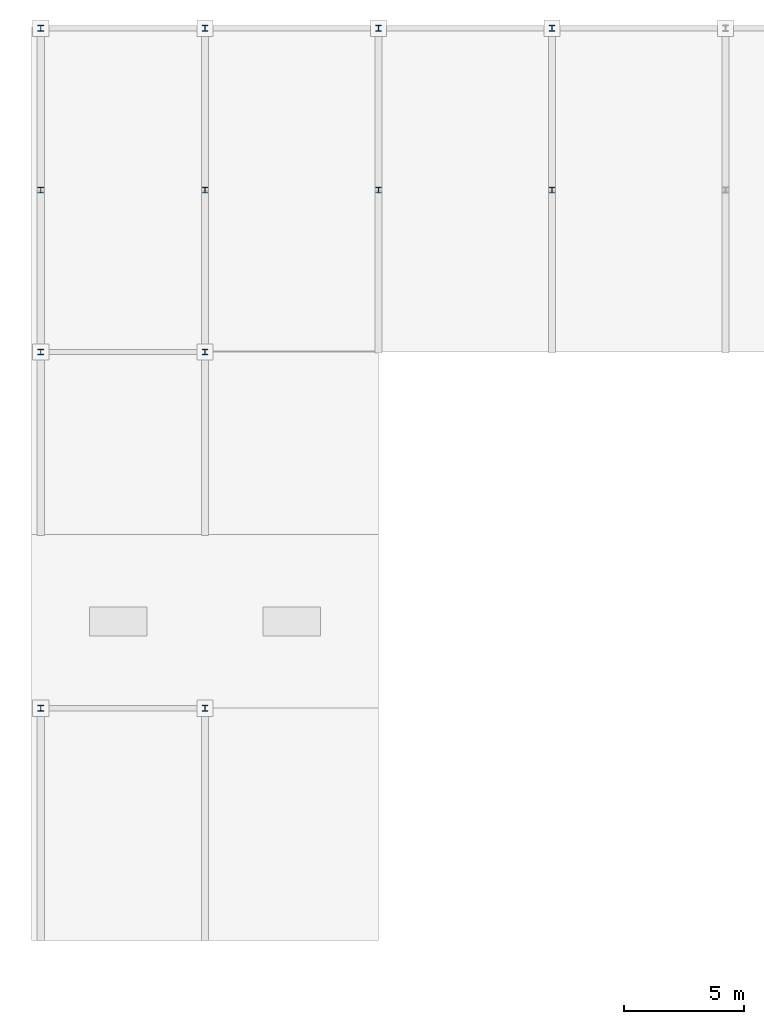
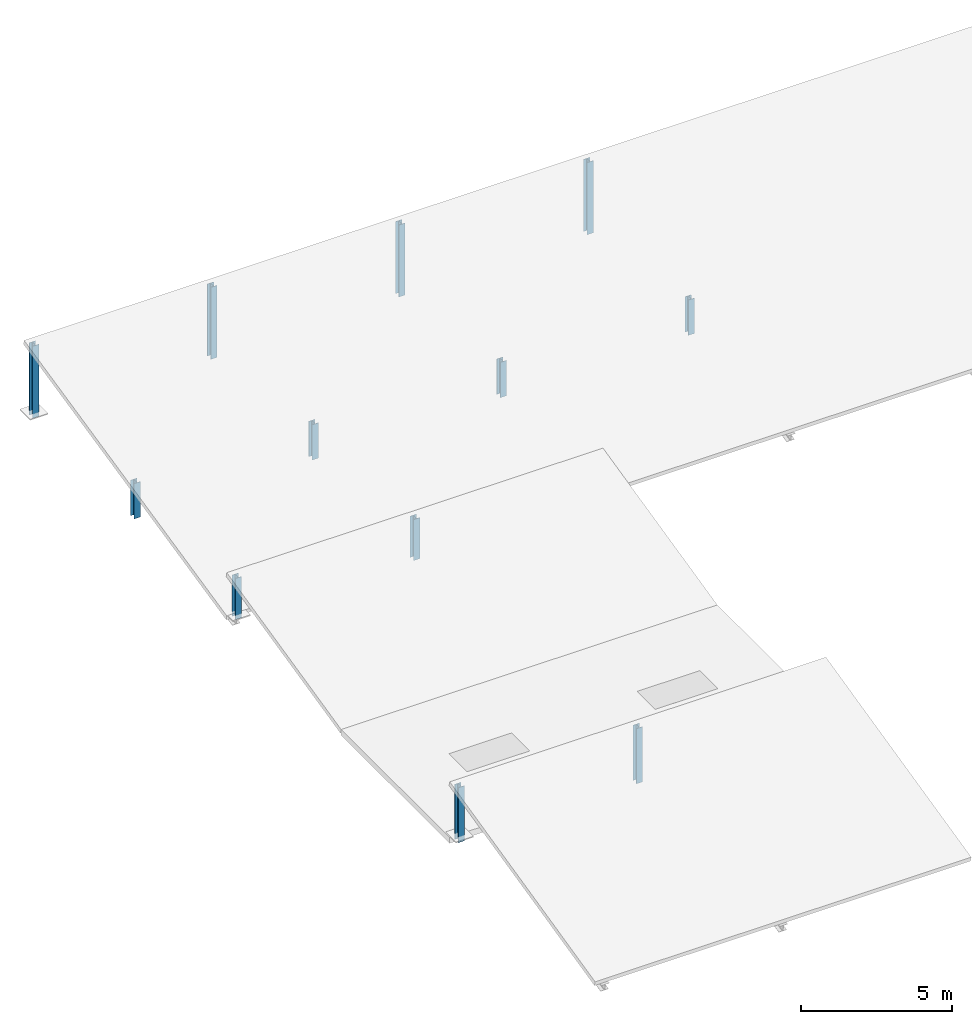
# One storey, part 2 of 15: 12 columns.
"""IFC4 building model written with IfcOpenShell, lengths in metres."""

from ifc_helpers import new_model, si_unit, direction, frame, origin, origin_2d, place, context, subcontext, project, spatial, i_section, extrude, material, material_profile, profile_set, type_object, element, save


model = new_model("IFC4")

# Units and contexts
model_context = context("Model", 3, precision=1e-05, world=origin(), true_north=direction((0.0, 1.0)))
body_context = subcontext(model_context, "Body", "Model", "MODEL_VIEW")
ifc_project = project(units=[si_unit("LENGTHUNIT", "METRE"), si_unit("AREAUNIT", "SQUARE_METRE"), si_unit("VOLUMEUNIT", "CUBIC_METRE"), si_unit("PLANEANGLEUNIT", "RADIAN"), si_unit("MASSUNIT", "GRAM", prefix="KILO")], contexts=[model_context])

# Site, building, storey
site_placement = place(None, origin())
site = spatial("IfcSite", under=ifc_project, at=site_placement, CompositionType="ELEMENT")
building_placement = place(site_placement, origin())
building = spatial("IfcBuilding", under=site, at=building_placement, Name="Vardoun Plaza Health Centre", CompositionType="ELEMENT")
storey_placement = place(building_placement, frame((0.0, 0.0, 17.10009765625)))
storey = spatial("IfcBuildingStorey", under=building, at=storey_placement, Name="L04", CompositionType="ELEMENT", Elevation=17.10009765625)

# Columns
ifc_material = material(Name="Steel S355J2", Category="steel")
ifc_material_profile = material_profile(ifc_material, i_section(OverallWidth=0.239990234375, OverallDepth=0.239990234375, WebThickness=0.010009765625, FlangeThickness=0.01708984375, FilletRadius=0.02099609375, at=origin_2d()), Name="HEB 240")
ifc_profile_set = profile_set([ifc_material_profile], Name="Steel S355J2")
column_type = type_object("IfcColumnType", Name="C-19", PredefinedType="COLUMN", material=ifc_profile_set)
for number, where, z_axis, x_axis, name in (
    (1, (4.8798828125, 86.699951171875, -0.239990234375), (0.0, 0.0, 1.0), (1.0, 0.0, 0.0), "V3 Sawtooth Ridge Post 1.1"),
    (2, (11.699951171875, 86.699951171875, -0.239990234375), (0.0, 0.0, 1.0), (1.0, 0.0, 0.0), "V3 Sawtooth Ridge Post 1.2"),
):
    element("IfcColumn", number, at=place(storey_placement, frame(where, z_axis=z_axis, x_axis=x_axis)), inside=storey, type_object=column_type, Name=name, PredefinedType="COLUMN", context=body_context, shape_type="SweptSolid", body=[
        extrude(i_section(OverallWidth=0.239990234375, OverallDepth=0.239990234375, WebThickness=0.010009765625, FlangeThickness=0.01708984375, FilletRadius=0.02099609375, at=origin_2d()), origin(), (0.0, 0.0, 1.0), 2.22998046875),
    ])
for number, where, z_axis, x_axis, name in (
    (3, (4.8798828125, 101.47998046875, -0.175048828125), (0.0, 0.0, 1.0), (1.0, 0.0, 0.0), "V3 Sawtooth Ridge Post 2.1"),
    (4, (11.699951171875, 101.47998046875, -0.175048828125), (0.0, 0.0, 1.0), (1.0, 0.0, 0.0), "V3 Sawtooth Ridge Post 2.2"),
):
    element("IfcColumn", number, at=place(storey_placement, frame(where, z_axis=z_axis, x_axis=x_axis)), inside=storey, type_object=column_type, Name=name, PredefinedType="COLUMN", context=body_context, shape_type="SweptSolid", body=[
        extrude(i_section(OverallWidth=0.239990234375, OverallDepth=0.239990234375, WebThickness=0.010009765625, FlangeThickness=0.01708984375, FilletRadius=0.02099609375, at=origin_2d()), origin(), (0.0, 0.0, 1.0), 1.6650390625),
    ])
column_1_placement = place(storey_placement, frame((4.8798828125, 114.919921875, -0.175048828125), z_axis=(0.0, 0.0, 1.0), x_axis=(1.0, 0.0, 0.0)))
element("IfcColumn", 5, at=column_1_placement, inside=storey, type_object=column_type, Name="V3 Sawtooth Ridge Post 3.1", PredefinedType="COLUMN", context=body_context, shape_type="SweptSolid", body=[
    extrude(i_section(OverallWidth=0.239990234375, OverallDepth=0.239990234375, WebThickness=0.010009765625, FlangeThickness=0.01708984375, FilletRadius=0.02099609375, at=origin_2d()), origin(), (0.0, 0.0, 1.0), 2.9150390625),
])
column_2_placement = place(storey_placement, frame((4.8798828125, 108.199951171875, -0.175048828125), z_axis=(0.0, 0.0, 1.0), x_axis=(1.0, 0.0, 0.0)))
element("IfcColumn", 6, at=column_2_placement, inside=storey, type_object=column_type, Name="V3 Sawtooth Mid Post 3.1", PredefinedType="COLUMN", context=body_context, shape_type="SweptSolid", body=[
    extrude(i_section(OverallWidth=0.239990234375, OverallDepth=0.239990234375, WebThickness=0.010009765625, FlangeThickness=0.01708984375, FilletRadius=0.02099609375, at=origin_2d()), origin(), (0.0, 0.0, 1.0), 1.429931640625),
])
column_3_placement = place(storey_placement, frame((11.699951171875, 114.919921875, -0.175048828125), z_axis=(0.0, 0.0, 1.0), x_axis=(1.0, 0.0, 0.0)))
element("IfcColumn", 7, at=column_3_placement, inside=storey, type_object=column_type, Name="V3 Sawtooth Ridge Post 3.2", PredefinedType="COLUMN", context=body_context, shape_type="SweptSolid", body=[
    extrude(i_section(OverallWidth=0.239990234375, OverallDepth=0.239990234375, WebThickness=0.010009765625, FlangeThickness=0.01708984375, FilletRadius=0.02099609375, at=origin_2d()), origin(), (0.0, 0.0, 1.0), 2.9150390625),
])
column_4_placement = place(storey_placement, frame((11.699951171875, 108.199951171875, -0.175048828125), z_axis=(0.0, 0.0, 1.0), x_axis=(1.0, 0.0, 0.0)))
element("IfcColumn", 8, at=column_4_placement, inside=storey, type_object=column_type, Name="V3 Sawtooth Mid Post 3.2", PredefinedType="COLUMN", context=body_context, shape_type="SweptSolid", body=[
    extrude(i_section(OverallWidth=0.239990234375, OverallDepth=0.239990234375, WebThickness=0.010009765625, FlangeThickness=0.01708984375, FilletRadius=0.02099609375, at=origin_2d()), origin(), (0.0, 0.0, 1.0), 1.429931640625),
])
column_5_placement = place(storey_placement, frame((18.89990234375, 114.919921875, -0.175048828125), z_axis=(0.0, 0.0, 1.0), x_axis=(1.0, 0.0, 0.0)))
element("IfcColumn", 9, at=column_5_placement, inside=storey, type_object=column_type, Name="V3 Sawtooth Ridge Post 3.3", PredefinedType="COLUMN", context=body_context, shape_type="SweptSolid", body=[
    extrude(i_section(OverallWidth=0.239990234375, OverallDepth=0.239990234375, WebThickness=0.010009765625, FlangeThickness=0.01708984375, FilletRadius=0.02099609375, at=origin_2d()), origin(), (0.0, 0.0, 1.0), 2.9150390625),
])
column_6_placement = place(storey_placement, frame((18.89990234375, 108.199951171875, -0.175048828125), z_axis=(0.0, 0.0, 1.0), x_axis=(1.0, 0.0, 0.0)))
element("IfcColumn", 10, at=column_6_placement, inside=storey, type_object=column_type, Name="V3 Sawtooth Mid Post 3.3", PredefinedType="COLUMN", context=body_context, shape_type="SweptSolid", body=[
    extrude(i_section(OverallWidth=0.239990234375, OverallDepth=0.239990234375, WebThickness=0.010009765625, FlangeThickness=0.01708984375, FilletRadius=0.02099609375, at=origin_2d()), origin(), (0.0, 0.0, 1.0), 1.429931640625),
])
column_7_placement = place(storey_placement, frame((26.10009765625, 114.919921875, -0.175048828125), z_axis=(0.0, 0.0, 1.0), x_axis=(1.0, 0.0, 0.0)))
element("IfcColumn", 11, at=column_7_placement, inside=storey, type_object=column_type, Name="V3 Sawtooth Ridge Post 3.4", PredefinedType="COLUMN", context=body_context, shape_type="SweptSolid", body=[
    extrude(i_section(OverallWidth=0.239990234375, OverallDepth=0.239990234375, WebThickness=0.010009765625, FlangeThickness=0.01708984375, FilletRadius=0.02099609375, at=origin_2d()), origin(), (0.0, 0.0, 1.0), 2.9150390625),
])
column_8_placement = place(storey_placement, frame((26.10009765625, 108.199951171875, -0.175048828125), z_axis=(0.0, 0.0, 1.0), x_axis=(1.0, 0.0, 0.0)))
element("IfcColumn", 12, at=column_8_placement, inside=storey, type_object=column_type, Name="V3 Sawtooth Mid Post 3.4", PredefinedType="COLUMN", context=body_context, shape_type="SweptSolid", body=[
    extrude(i_section(OverallWidth=0.239990234375, OverallDepth=0.239990234375, WebThickness=0.010009765625, FlangeThickness=0.01708984375, FilletRadius=0.02099609375, at=origin_2d()), origin(), (0.0, 0.0, 1.0), 1.429931640625),
])

save(model, "model.ifc")
